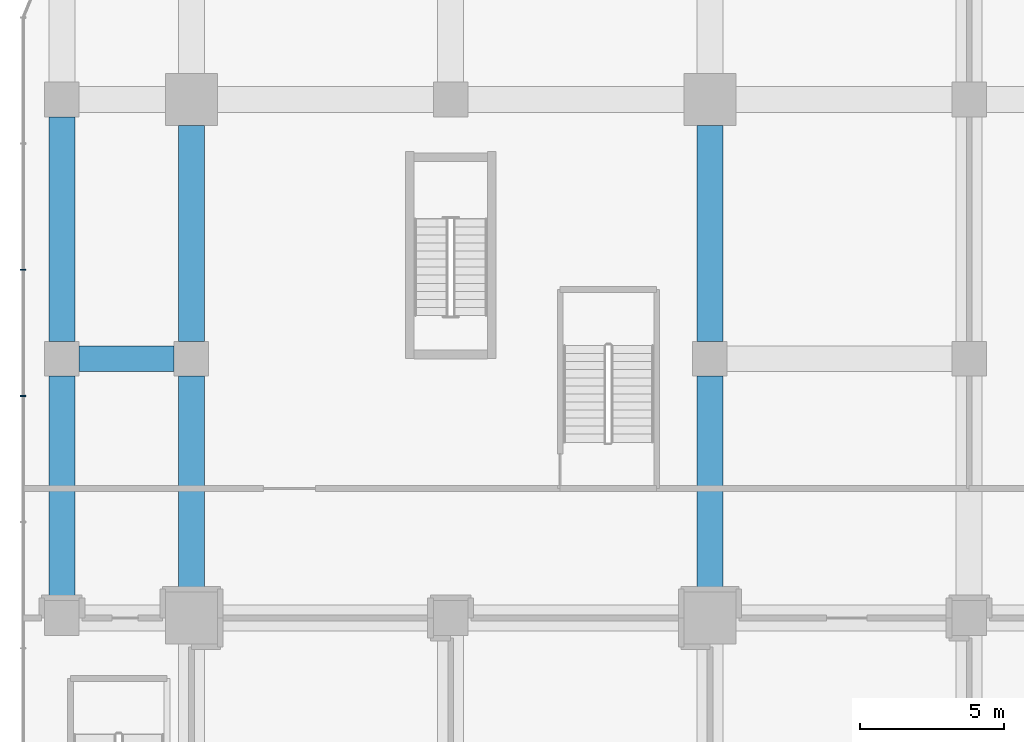
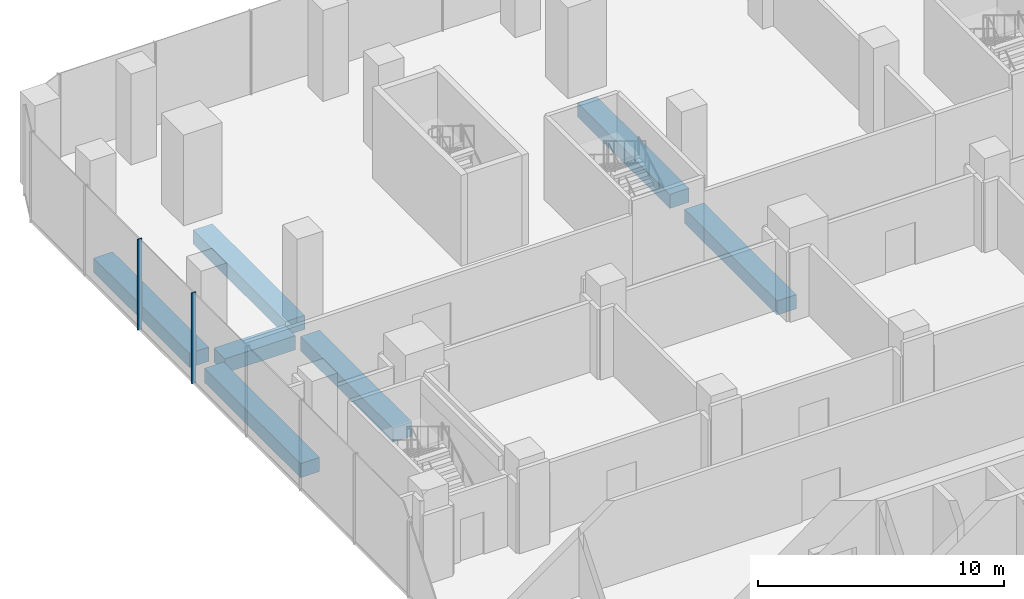
# One storey, part 11 of 43: 7 beams, 2 members, 1 element without a shape of its own.
"""IFC4 building model written with IfcOpenShell, lengths in metres."""

import ifcopenshell
import ifcopenshell.guid

model = None  # the IFC model being written
_history = None  # IfcOwnerHistory: only IFC2X3 demands one
_inside = {}  # id of a spatial element -> (the spatial element, [elements in it])
_under = {}  # id of a project, library or spatial element -> (it, [spatial elements below it])
_declared = {}  # id of a project -> (the project, [libraries it declares])
_typed = {}  # id of a type object -> (the type object, [elements of that type])
_made_of = {}  # id of a material, layer set ... -> (it, [elements and type objects made of it])


def new_model(schema):
    """Start an empty IFC model of exactly this schema.

    Asked for "IFC4X3", IfcOpenShell would pick the latest addendum, in which some entities
    have other attributes; the version numbers below select the first issue.
    IFC2X3 requires an IfcOwnerHistory on every rooted entity: one is made here for all.
    """
    global model, _history
    if schema == "IFC4X3":
        model = ifcopenshell.file(schema_version=(4, 3, 0, 0))
    else:
        model = ifcopenshell.file(schema=schema)
    _inside.clear()
    _under.clear()
    _declared.clear()
    _typed.clear()
    _made_of.clear()
    _history = None
    if model.schema == "IFC2X3":
        org = make("IfcOrganization", Name="unknown")
        user = make(
            "IfcPersonAndOrganization",
            ThePerson=make("IfcPerson", FamilyName="unknown"),
            TheOrganization=org,
        )
        app = make(
            "IfcApplication",
            ApplicationDeveloper=org,
            Version="unknown",
            ApplicationFullName="unknown",
            ApplicationIdentifier="unknown",
        )
        _history = make(
            "IfcOwnerHistory",
            OwningUser=user,
            OwningApplication=app,
            ChangeAction="ADDED",
            CreationDate=0,
        )
    return model


def make(cls, **values):
    """One entity of the class cls with the attributes given. An attribute that is None is left unset."""
    return model.create_entity(
        cls, **{name: value for name, value in values.items() if value is not None}
    )


def rooted(cls, **values):
    """An entity with a GlobalId (a new one), such as an element, a storey or a relation."""
    return make(cls, GlobalId=ifcopenshell.guid.new(), OwnerHistory=_history, **values)


def si_unit(unit_type, name, prefix=None):
    """IfcSIUnit, for example si_unit("LENGTHUNIT", "METRE", prefix="MILLI")."""
    return make("IfcSIUnit", UnitType=unit_type, Prefix=prefix, Name=name)


def assignment(units):
    """IfcUnitAssignment: the units of a project."""
    return None if units is None else make("IfcUnitAssignment", Units=units)


def point(xyz):
    """IfcCartesianPoint."""
    return None if xyz is None else make("IfcCartesianPoint", Coordinates=xyz)


def direction(xyz):
    """IfcDirection."""
    return None if xyz is None else make("IfcDirection", DirectionRatios=xyz)


def frame(location, z_axis=None, x_axis=None):
    """IfcAxis2Placement3D, a coordinate frame: its origin and axes. An axis left out is left unset."""
    return make(
        "IfcAxis2Placement3D",
        Location=point(location),
        Axis=direction(z_axis),
        RefDirection=direction(x_axis),
    )


def frame_2d(location, x_axis=None):
    """IfcAxis2Placement2D, a coordinate frame in the plane: its origin and x axis."""
    return make(
        "IfcAxis2Placement2D", Location=point(location), RefDirection=direction(x_axis)
    )


def origin():
    """The frame at (0, 0, 0) with its axes left unset."""
    return frame((0.0, 0.0, 0.0))


def origin_2d():
    """The frame at (0, 0) in the plane with its x axis left unset."""
    return frame_2d((0.0, 0.0))


def place(relative_to, where):
    """IfcLocalPlacement: puts the frame where relative to a parent placement (None: the world)."""
    return make(
        "IfcLocalPlacement", PlacementRelTo=relative_to, RelativePlacement=where
    )


def context(
    kind, dimensions, precision=None, world=None, true_north=None, identifier=None
):
    """IfcGeometricRepresentationContext, for example the 3D "Model" context."""
    return make(
        "IfcGeometricRepresentationContext",
        ContextIdentifier=identifier,
        ContextType=kind,
        CoordinateSpaceDimension=dimensions,
        Precision=precision,
        WorldCoordinateSystem=world,
        TrueNorth=true_north,
    )


def subcontext(parent, identifier, kind, view, scale=None):
    """IfcGeometricRepresentationSubContext, for example "Body" below "Model"."""
    return make(
        "IfcGeometricRepresentationSubContext",
        ContextIdentifier=identifier,
        ContextType=kind,
        ParentContext=parent,
        TargetScale=scale,
        TargetView=view,
    )


def project(units=None, contexts=None):
    """IfcProject with its units and contexts."""
    return rooted(
        "IfcProject",
        Name="project",
        RepresentationContexts=contexts,
        UnitsInContext=assignment(units),
    )


def spatial(cls, under=None, at=None, **own):
    """A site, building, storey or space (cls), placed at a placement, below another one or the project."""
    s = rooted(cls, ObjectPlacement=at, **own)
    if under is not None:
        _under.setdefault(under.id(), (under, []))[1].append(s)
    return s


def profile(cls, at=None, kind="AREA", **sizes):
    """A parametric profile (cls). Its sizes go by their IFC names, for example OverallWidth=200.0."""
    return make(cls, ProfileType=kind, Position=at, **sizes)


def rectangle(**sizes):
    """IfcRectangleProfileDef."""
    return profile("IfcRectangleProfileDef", **sizes)


def extrude(swept, where, along, depth):
    """IfcExtrudedAreaSolid: the profile swept, set in the frame where, extruded along a direction by depth."""
    return make(
        "IfcExtrudedAreaSolid",
        SweptArea=swept,
        Position=where,
        ExtrudedDirection=direction(along),
        Depth=depth,
    )


def shape(context_of_items, identifier, shape_type, items):
    """IfcShapeRepresentation: the items that make up one representation, for example the "Body"."""
    return make(
        "IfcShapeRepresentation",
        ContextOfItems=context_of_items,
        RepresentationIdentifier=identifier,
        RepresentationType=shape_type,
        Items=items,
    )


def material(Name=None, Category=None):
    """IfcMaterial."""
    return make("IfcMaterial", Name=Name, Category=Category)


def layer(
    of_material, thickness, ventilated=None, Name=None, Category=None, Priority=None
):
    """IfcMaterialLayer: one layer of a wall or slab, of a material (None: an air gap)."""
    return make(
        "IfcMaterialLayer",
        Material=of_material,
        LayerThickness=thickness,
        IsVentilated=ventilated,
        Name=Name,
        Category=Category,
        Priority=Priority,
    )


def layer_set(layers, Name=None):
    """IfcMaterialLayerSet."""
    return make("IfcMaterialLayerSet", MaterialLayers=layers, LayerSetName=Name)


def material_profile(
    of_material, cross_section, Name=None, Category=None, Priority=None
):
    """IfcMaterialProfile: a cross section and its material."""
    return make(
        "IfcMaterialProfile",
        Name=Name,
        Material=of_material,
        Profile=cross_section,
        Priority=Priority,
        Category=Category,
    )


def profile_set(profiles, Name=None, composite=None):
    """IfcMaterialProfileSet."""
    return make(
        "IfcMaterialProfileSet",
        Name=Name,
        MaterialProfiles=profiles,
        CompositeProfile=composite,
    )


def made_of(thing, what):
    """Note that an element or type object is made of a material, layer set ...; save() writes the relation."""
    if what is not None:
        _made_of.setdefault(what.id(), (what, []))[1].append(thing)
    return thing


def type_object(cls, material=None, **own):
    """A type object (cls), such as IfcWallType, which elements share."""
    return made_of(rooted(cls, **own), material)


def element(
    cls,
    number,
    at=None,
    inside=None,
    cuts=None,
    type_object=None,
    material=None,
    context=None,
    identifier="Body",
    shape_type=None,
    held_by="IfcProductDefinitionShape",
    body=None,
    shapes=None,
    **own,
):
    """One element of the class cls, such as IfcWall. Its Tag is "e" and its number.

    at: its placement. inside: the storey or other place that contains it. cuts: it is an
    opening in that element (IfcRelVoidsElement). A single representation is given by context,
    identifier, shape_type and body (its items); several are given by shapes. held_by: the class
    of the entity that holds the representations. save() writes the other relations.
    """
    e = rooted(cls, Tag="e%d" % number, ObjectPlacement=at, **own)
    if body is not None:
        shapes = [shape(context, identifier, shape_type, body)]
    if shapes is not None:
        e.Representation = make(held_by, Representations=shapes)
    if inside is not None:
        _inside.setdefault(inside.id(), (inside, []))[1].append(e)
    if cuts is not None:
        rooted(
            "IfcRelVoidsElement", RelatingBuildingElement=cuts, RelatedOpeningElement=e
        )
    if type_object is not None:
        _typed.setdefault(type_object.id(), (type_object, []))[1].append(e)
    return made_of(e, material)


def aggregate(whole, parts):
    """IfcRelAggregates: a whole, such as a stair, and the parts it consists of."""
    return rooted("IfcRelAggregates", RelatingObject=whole, RelatedObjects=parts)


def save(model, path):
    """Write the relations noted so far, then the file.

    IfcRelAggregates (storeys below a building ...), IfcRelContainedInSpatialStructure (elements
    in a storey), IfcRelDefinesByType, IfcRelAssociatesMaterial and IfcRelDeclares: one each for
    every whole, place, type object, material and project.
    """
    for whole, parts in _under.values():
        aggregate(whole, parts)
    for where, things in _inside.values():
        rooted(
            "IfcRelContainedInSpatialStructure",
            RelatedElements=things,
            RelatingStructure=where,
        )
    for kind, things in _typed.values():
        rooted("IfcRelDefinesByType", RelatedObjects=things, RelatingType=kind)
    for what, things in _made_of.values():
        rooted("IfcRelAssociatesMaterial", RelatedObjects=things, RelatingMaterial=what)
    for by, libraries in _declared.values():
        rooted("IfcRelDeclares", RelatingContext=by, RelatedDefinitions=libraries)
    model.write(path)


model = new_model("IFC4")

# Units and contexts
model_context = context("Model", 3, precision=1e-05, world=origin(), true_north=direction((0.0, 1.0)))
body_context = subcontext(model_context, "Body", "Model", "MODEL_VIEW")
ifc_project = project(units=[si_unit("LENGTHUNIT", "METRE"), si_unit("AREAUNIT", "SQUARE_METRE"), si_unit("VOLUMEUNIT", "CUBIC_METRE"), si_unit("PLANEANGLEUNIT", "RADIAN"), si_unit("MASSUNIT", "GRAM", prefix="KILO")], contexts=[model_context])

# Site, building, storey
site_placement = place(None, origin())
site = spatial("IfcSite", under=ifc_project, at=site_placement, CompositionType="ELEMENT")
building_placement = place(site_placement, origin())
building = spatial("IfcBuilding", under=site, at=building_placement, Name="Plateau Cross Towers", CompositionType="ELEMENT")
storey_placement = place(building_placement, frame((0.0, 0.0, 12.800048828125)))
storey = spatial("IfcBuildingStorey", under=building, at=storey_placement, Name="L02", CompositionType="ELEMENT", Elevation=12.800048828125)

# Curtain wall, members
ifc_material_1 = material(Name="Dark low-iron laminated glass", Category="glass")
ifc_layer = layer(ifc_material_1, 0.300048828125)
ifc_layer_set = layer_set([ifc_layer], Name="Dark low-iron laminated glass")
curtain_wall_type = type_object("IfcCurtainWallType", Name="Curtain wall structural silicone CW-C", PredefinedType="NOTDEFINED", material=ifc_layer_set)
curtain_wall_placement = place(storey_placement, origin())
curtain_wall = element("IfcCurtainWall", 1, at=curtain_wall_placement, inside=storey, type_object=curtain_wall_type, Name="ENV/P/L02/P-58_568", PredefinedType="NOTDEFINED")
ifc_material_2 = material(Name="Black anodised aluminium", Category="aluminium")
ifc_material_profile_1 = material_profile(ifc_material_2, rectangle(XDim=0.050048828125, YDim=0.199951171875, at=origin_2d()), Name="MULLION 50x200")
ifc_profile_set_1 = profile_set([ifc_material_profile_1], Name="Black anodised aluminium")
member_type = type_object("IfcMemberType", Name="Mullion 50x200 structural silicone", PredefinedType="MULLION", material=ifc_profile_set_1)
member_1_placement = place(storey_placement, frame((-5.85009765625, 48.090087890625, -0.35009765625), z_axis=(0.0, 0.0, 1.0), x_axis=(0.0, -1.0, 0.0)))
member_1 = element("IfcMember", 2, at=member_1_placement, type_object=member_type, Name="CW-C mullion 3", PredefinedType="MULLION", context=body_context, shape_type="SweptSolid", body=[
    extrude(rectangle(XDim=0.050048828125, YDim=0.199951171875, at=origin_2d()), origin(), (0.0, 0.0, 1.0), 4.5),
])
member_2_placement = place(storey_placement, frame((-5.85009765625, 43.7099609375, -0.35009765625), z_axis=(0.0, 0.0, 1.0), x_axis=(0.0, -1.0, 0.0)))
member_2 = element("IfcMember", 3, at=member_2_placement, type_object=member_type, Name="CW-C mullion 4", PredefinedType="MULLION", context=body_context, shape_type="SweptSolid", body=[
    extrude(rectangle(XDim=0.050048828125, YDim=0.199951171875, at=origin_2d()), origin(), (0.0, 0.0, 1.0), 4.5),
])
aggregate(curtain_wall, [member_1, member_2])

# Beams
ifc_material_3 = material(Name="Concrete C50/60", Category="concrete")
ifc_material_profile_2 = material_profile(ifc_material_3, rectangle(XDim=0.89990234375, YDim=0.699951171875, at=origin_2d()), Name="RC 900x700")
ifc_profile_set_2 = profile_set([ifc_material_profile_2], Name="Concrete C50/60")
beam_type = type_object("IfcBeamType", Name="Podium band beam RC 900x700", PredefinedType="BEAM", material=ifc_profile_set_2)
beam_placement = place(storey_placement, frame((-3.89990234375, 45.0, -0.699951171875), z_axis=(1.0, 0.0, 0.0), x_axis=(0.0, 1.0, 0.0)))
element("IfcBeam", 4, at=beam_placement, inside=storey, type_object=beam_type, Name="PB58@L02", PredefinedType="BEAM", context=body_context, shape_type="SweptSolid", body=[
    extrude(rectangle(XDim=0.89990234375, YDim=0.699951171875, at=origin_2d()), origin(), (0.0, 0.0, 1.0), 3.2998046875),
])
for number, where, z_axis, x_axis, name in (
    (5, (-4.5, 36.60009765625, -0.699951171875), (0.0, 1.0, 0.0), (-1.0, 0.0, 0.0), "PB98@L02"),
    (6, (-4.5, 45.60009765625, -0.699951171875), (0.0, 1.0, 0.0), (-1.0, 0.0, 0.0), "PB99@L02"),
):
    element("IfcBeam", number, at=place(storey_placement, frame(where, z_axis=z_axis, x_axis=x_axis)), inside=storey, type_object=beam_type, Name=name, PredefinedType="BEAM", context=body_context, shape_type="SweptSolid", body=[
        extrude(rectangle(XDim=0.89990234375, YDim=0.699951171875, at=origin_2d()), origin(), (0.0, 0.0, 1.0), 7.7998046875),
    ])
for number, where, z_axis, x_axis, name in (
    (7, (0.0, 36.89990234375, -0.699951171875), (0.0, 1.0, 0.0), (-1.0, 0.0, 0.0), "PB103@L02"),
    (8, (0.0, 45.60009765625, -0.699951171875), (0.0, 1.0, 0.0), (-1.0, 0.0, 0.0), "PB104@L02"),
    (9, (18.0, 36.89990234375, -0.699951171875), (0.0, 1.0, 0.0), (-1.0, 0.0, 0.0), "PB111@L02"),
    (10, (18.0, 45.60009765625, -0.699951171875), (0.0, 1.0, 0.0), (-1.0, 0.0, 0.0), "PB112@L02"),
):
    element("IfcBeam", number, at=place(storey_placement, frame(where, z_axis=z_axis, x_axis=x_axis)), inside=storey, type_object=beam_type, Name=name, PredefinedType="BEAM", context=body_context, shape_type="SweptSolid", body=[
        extrude(rectangle(XDim=0.89990234375, YDim=0.699951171875, at=origin_2d()), origin(), (0.0, 0.0, 1.0), 7.5),
    ])

save(model, "model.ifc")
